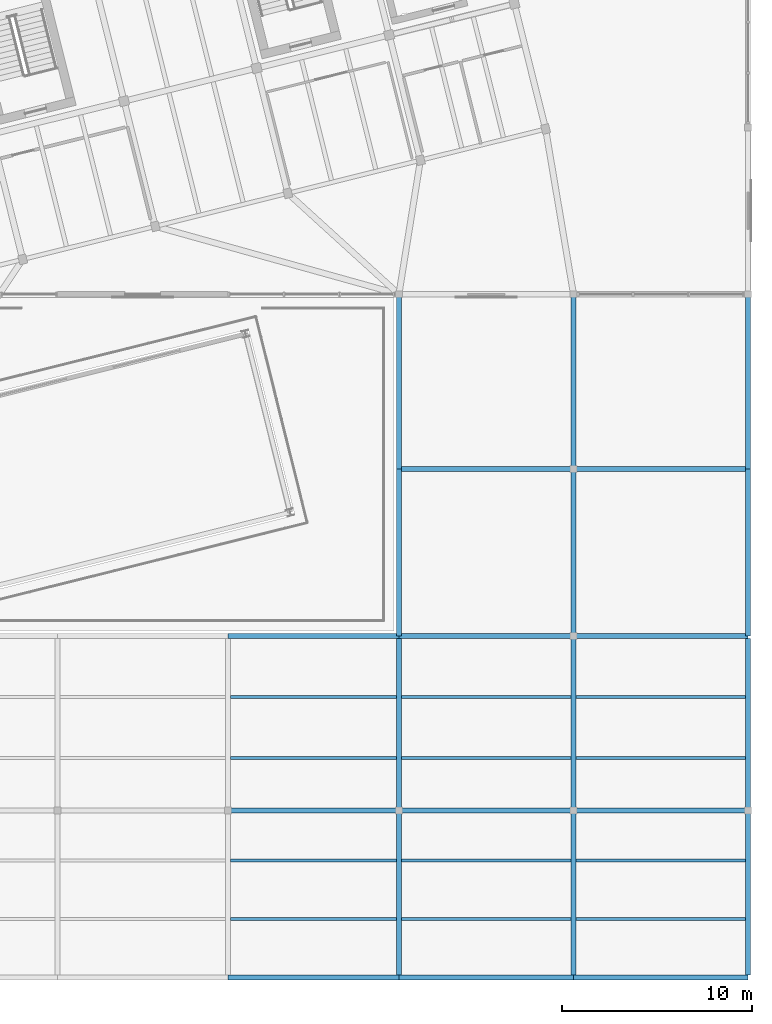
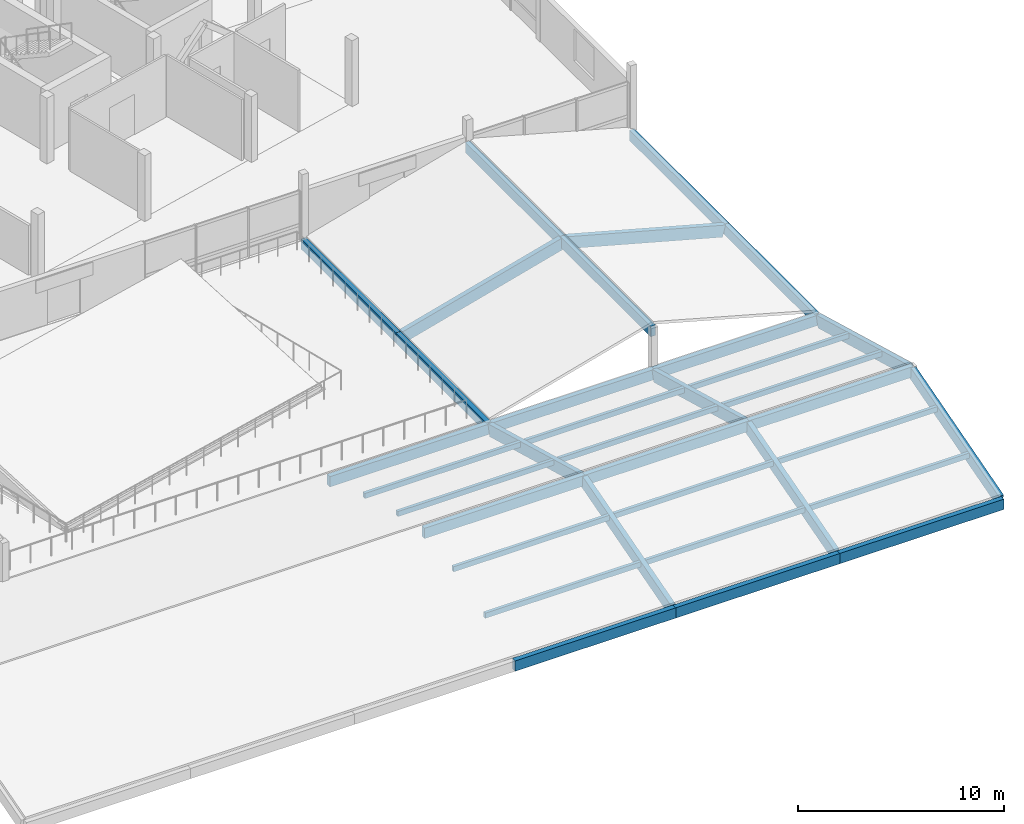
# One storey, part 6 of 39: 23 beams, 12 members.
"""IFC4 building model written with IfcOpenShell, lengths in metres."""

from ifc_helpers import new_model, si_unit, direction, frame, origin, origin_2d, place, context, subcontext, project, spatial, rectangle, extrude, material, material_profile, profile_set, type_object, element, save


model = new_model("IFC4")

# Units and contexts
model_context = context("Model", 3, precision=1e-05, world=origin(), true_north=direction((0.0, 1.0)))
body_context = subcontext(model_context, "Body", "Model", "MODEL_VIEW")
ifc_project = project(units=[si_unit("LENGTHUNIT", "METRE"), si_unit("AREAUNIT", "SQUARE_METRE"), si_unit("VOLUMEUNIT", "CUBIC_METRE"), si_unit("PLANEANGLEUNIT", "RADIAN"), si_unit("MASSUNIT", "GRAM", prefix="KILO")], contexts=[model_context])

# Site, building, storey
site_placement = place(None, origin())
site = spatial("IfcSite", under=ifc_project, at=site_placement, CompositionType="ELEMENT")
building_placement = place(site_placement, origin())
building = spatial("IfcBuilding", under=site, at=building_placement, Name="Meriwether Solvik Hall", CompositionType="ELEMENT")
storey_placement = place(building_placement, frame((0.0, 0.0, 22.199951171875)))
storey = spatial("IfcBuildingStorey", under=building, at=storey_placement, Name="L05", CompositionType="ELEMENT", Elevation=22.199951171875)

# Beams
ifc_material_1 = material(Name="Glulam Douglas-Fir 24F-V8 GL28h", Category="wood")
ifc_material_profile_1 = material_profile(ifc_material_1, rectangle(XDim=0.27294921875, YDim=0.610107421875, at=origin_2d()), Name="GLB-273X610")
ifc_profile_set_1 = profile_set([ifc_material_profile_1], Name="Glulam Douglas-Fir 24F-V8 GL28h")
beam_type_1 = type_object("IfcBeamType", Name="BM-GL-273X610", PredefinedType="SPANDREL", material=ifc_profile_set_1)
beam_1_placement = place(storey_placement, frame((86.800048828125, 5.199951171875, -0.324462890625), z_axis=(1.0, 0.0, 0.0), x_axis=(0.0, 1.0, 0.0)))
element("IfcBeam", 1, at=beam_1_placement, inside=storey, type_object=beam_type_1, Name="Roof Tie Beam A:10-11 (L05)", PredefinedType="SPANDREL", context=body_context, shape_type="SweptSolid", body=[
    extrude(rectangle(XDim=0.27294921875, YDim=0.610107421875, at=origin_2d()), origin(), (0.0, 0.0, 1.0), 9.0),
])
for number, where, z_axis, x_axis, name in (
    (2, (95.800048828125, 5.199951171875, -0.324462890625), (1.0, 0.0, 0.0), (0.0, 1.0, 0.0), "Roof Tie Beam A:11-12 (L05)"),
    (3, (105.0, 5.199951171875, -0.324462890625), (1.0, 0.0, 0.0), (0.0, 1.0, 0.0), "Roof Tie Beam A:12-13 (L05)"),
):
    element("IfcBeam", number, at=place(storey_placement, frame(where, z_axis=z_axis, x_axis=x_axis)), inside=storey, type_object=beam_type_1, Name=name, PredefinedType="SPANDREL", context=body_context, shape_type="SweptSolid", body=[
        extrude(rectangle(XDim=0.27294921875, YDim=0.610107421875, at=origin_2d()), origin(), (0.0, 0.0, 1.0), 9.199951171875),
    ])
beam_2_placement = place(storey_placement, frame((86.800048828125, 14.0, 2.195556640625), z_axis=(1.0, 0.0, 0.0), x_axis=(0.0, 1.0, 0.0)))
element("IfcBeam", 4, at=beam_2_placement, inside=storey, type_object=beam_type_1, Name="Roof Tie Beam B:10-11 (L05)", PredefinedType="SPANDREL", context=body_context, shape_type="SweptSolid", body=[
    extrude(rectangle(XDim=0.27294921875, YDim=0.610107421875, at=origin_2d()), origin(), (0.0, 0.0, 1.0), 9.0),
])
for number, where, z_axis, x_axis, name in (
    (5, (95.800048828125, 14.0, 2.195556640625), (1.0, 0.0, 0.0), (0.0, 1.0, 0.0), "Roof Tie Beam B:11-12 (L05)"),
    (6, (105.0, 14.0, 2.195556640625), (1.0, 0.0, 0.0), (0.0, 1.0, 0.0), "Roof Tie Beam B:12-13 (L05)"),
):
    element("IfcBeam", number, at=place(storey_placement, frame(where, z_axis=z_axis, x_axis=x_axis)), inside=storey, type_object=beam_type_1, Name=name, PredefinedType="SPANDREL", context=body_context, shape_type="SweptSolid", body=[
        extrude(rectangle(XDim=0.27294921875, YDim=0.610107421875, at=origin_2d()), origin(), (0.0, 0.0, 1.0), 9.199951171875),
    ])
beam_3_placement = place(storey_placement, frame((86.800048828125, 23.199951171875, -0.32373046875), z_axis=(1.0, 0.0, 0.0), x_axis=(0.0, 1.0, 0.0)))
element("IfcBeam", 7, at=beam_3_placement, inside=storey, type_object=beam_type_1, Name="Roof Tie Beam C:10-11 (L05)", PredefinedType="SPANDREL", context=body_context, shape_type="SweptSolid", body=[
    extrude(rectangle(XDim=0.27294921875, YDim=0.610107421875, at=origin_2d()), origin(), (0.0, 0.0, 1.0), 9.0),
])
for number, where, z_axis, x_axis, name in (
    (8, (95.800048828125, 23.199951171875, -0.32373046875), (1.0, 0.0, 0.0), (0.0, 1.0, 0.0), "Roof Tie Beam C:11-12 (L05)"),
    (9, (105.0, 23.199951171875, -0.32373046875), (1.0, 0.0, 0.0), (0.0, 1.0, 0.0), "Roof Tie Beam C:12-13 (L05)"),
):
    element("IfcBeam", number, at=place(storey_placement, frame(where, z_axis=z_axis, x_axis=x_axis)), inside=storey, type_object=beam_type_1, Name=name, PredefinedType="SPANDREL", context=body_context, shape_type="SweptSolid", body=[
        extrude(rectangle(XDim=0.27294921875, YDim=0.610107421875, at=origin_2d()), origin(), (0.0, 0.0, 1.0), 9.199951171875),
    ])
beam_4_placement = place(storey_placement, frame((95.800048828125, 23.199951171875, -0.32373046875), z_axis=(0.0, 1.0, 0.0), x_axis=(-1.0, 0.0, 0.0)))
element("IfcBeam", 10, at=beam_4_placement, inside=storey, type_object=beam_type_1, Name="Roof Tie Beam 11:C-D (L05)", PredefinedType="SPANDREL", context=body_context, shape_type="SweptSolid", body=[
    extrude(rectangle(XDim=0.27294921875, YDim=0.610107421875, at=origin_2d()), origin(), (0.0, 0.0, 1.0), 8.800048828125),
])
beam_5_placement = place(storey_placement, frame((95.800048828125, 32.0, -0.32373046875), z_axis=(0.0, 1.0, 0.0), x_axis=(-1.0, 0.0, 0.0)))
element("IfcBeam", 11, at=beam_5_placement, inside=storey, type_object=beam_type_1, Name="Roof Tie Beam 11:D-E (L05)", PredefinedType="SPANDREL", context=body_context, shape_type="SweptSolid", body=[
    extrude(rectangle(XDim=0.27294921875, YDim=0.610107421875, at=origin_2d()), origin(), (0.0, 0.0, 1.0), 9.199951171875),
])
beam_6_placement = place(storey_placement, frame((105.0, 23.199951171875, 2.17626953125), z_axis=(0.0, 1.0, 0.0), x_axis=(-1.0, 0.0, 0.0)))
element("IfcBeam", 12, at=beam_6_placement, inside=storey, type_object=beam_type_1, Name="Roof Tie Beam 12:C-D (L05)", PredefinedType="SPANDREL", context=body_context, shape_type="SweptSolid", body=[
    extrude(rectangle(XDim=0.27294921875, YDim=0.610107421875, at=origin_2d()), origin(), (0.0, 0.0, 1.0), 8.800048828125),
])
beam_7_placement = place(storey_placement, frame((105.0, 32.0, 2.17626953125), z_axis=(0.0, 1.0, 0.0), x_axis=(-1.0, 0.0, 0.0)))
element("IfcBeam", 13, at=beam_7_placement, inside=storey, type_object=beam_type_1, Name="Roof Tie Beam 12:D-E (L05)", PredefinedType="SPANDREL", context=body_context, shape_type="SweptSolid", body=[
    extrude(rectangle(XDim=0.27294921875, YDim=0.610107421875, at=origin_2d()), origin(), (0.0, 0.0, 1.0), 9.199951171875),
])
beam_8_placement = place(storey_placement, frame((114.199951171875, 23.199951171875, -0.32373046875), z_axis=(0.0, 1.0, 0.0), x_axis=(-1.0, 0.0, 0.0)))
element("IfcBeam", 14, at=beam_8_placement, inside=storey, type_object=beam_type_1, Name="Roof Tie Beam 13:C-D (L05)", PredefinedType="SPANDREL", context=body_context, shape_type="SweptSolid", body=[
    extrude(rectangle(XDim=0.27294921875, YDim=0.610107421875, at=origin_2d()), origin(), (0.0, 0.0, 1.0), 8.800048828125),
])
beam_9_placement = place(storey_placement, frame((114.199951171875, 32.0, -0.32373046875), z_axis=(0.0, 1.0, 0.0), x_axis=(-1.0, 0.0, 0.0)))
element("IfcBeam", 15, at=beam_9_placement, inside=storey, type_object=beam_type_1, Name="Roof Tie Beam 13:D-E (L05)", PredefinedType="SPANDREL", context=body_context, shape_type="SweptSolid", body=[
    extrude(rectangle(XDim=0.27294921875, YDim=0.610107421875, at=origin_2d()), origin(), (0.0, 0.0, 1.0), 9.199951171875),
])
ifc_material_2 = material(Name="Glulam Douglas-Fir 24F-V8 GL28h", Category="wood")
ifc_material_profile_2 = material_profile(ifc_material_2, rectangle(XDim=0.27294921875, YDim=0.68505859375, at=origin_2d()), Name="GLB-273X685")
ifc_profile_set_2 = profile_set([ifc_material_profile_2], Name="Glulam Douglas-Fir 24F-V8 GL28h")
beam_type_2 = type_object("IfcBeamType", Name="BM-GL-273X685", PredefinedType="BEAM", material=ifc_profile_set_2)
for number, where, z_axis, x_axis, name in (
    (16, (95.800048828125, 5.42236328125, -0.31201171875), (0.0, 0.961355835439, 0.275308840518), (-1.0, 0.0, 0.0), "Raking Glulam Roof Rafter w4a_canopy_s-11 (L05)"),
    (17, (105.0, 5.42236328125, -0.31201171875), (0.0, 0.961355835439, 0.275308840518), (-1.0, 0.0, 0.0), "Raking Glulam Roof Rafter w4a_canopy_s-12 (L05)"),
    (18, (114.199951171875, 5.42236328125, -0.31201171875), (0.0, 0.961355835439, 0.275308840518), (-1.0, 0.0, 0.0), "Raking Glulam Roof Rafter w4a_canopy_s-13 (L05)"),
):
    element("IfcBeam", number, at=place(storey_placement, frame(where, z_axis=z_axis, x_axis=x_axis)), inside=storey, type_object=beam_type_2, Name=name, PredefinedType="BEAM", context=body_context, shape_type="SweptSolid", body=[
        extrude(rectangle(XDim=0.27294921875, YDim=0.68505859375, at=origin_2d()), origin(), (0.0, 0.0, 1.0), 8.887451171875),
    ])
for number, where, z_axis, x_axis, name in (
    (19, (95.800048828125, 22.9814453125, -0.314208984375), (0.0, -0.964469774482, 0.264193213597), (1.0, 0.0, 0.0), "Raking Glulam Roof Rafter w4a_canopy_n-11 (L05)"),
    (20, (105.0, 22.9814453125, -0.314208984375), (0.0, -0.964469774482, 0.264193213597), (1.0, 0.0, 0.0), "Raking Glulam Roof Rafter w4a_canopy_n-12 (L05)"),
    (21, (114.199951171875, 22.9814453125, -0.314208984375), (0.0, -0.964469774482, 0.264193213597), (1.0, 0.0, 0.0), "Raking Glulam Roof Rafter w4a_canopy_n-13 (L05)"),
):
    element("IfcBeam", number, at=place(storey_placement, frame(where, z_axis=z_axis, x_axis=x_axis)), inside=storey, type_object=beam_type_2, Name=name, PredefinedType="BEAM", context=body_context, shape_type="SweptSolid", body=[
        extrude(rectangle(XDim=0.27294921875, YDim=0.68505859375, at=origin_2d()), origin(), (0.0, 0.0, 1.0), 9.2734375),
    ])
for number, where, z_axis, x_axis, name in (
    (22, (96.017822265625, 32.0, -0.314453125), (0.965006558002, 0.0, 0.262225748189), (0.0, 1.0, 0.0), "Raking Glulam Roof Rafter w4a_east_sh_w-D (L05)"),
    (23, (113.982177734375, 32.0, -0.314453125), (-0.965006558002, 0.0, 0.262225748189), (0.0, -1.0, 0.0), "Raking Glulam Roof Rafter w4a_east_sh_e-D (L05)"),
):
    element("IfcBeam", number, at=place(storey_placement, frame(where, z_axis=z_axis, x_axis=x_axis)), inside=storey, type_object=beam_type_2, Name=name, PredefinedType="BEAM", context=body_context, shape_type="SweptSolid", body=[
        extrude(rectangle(XDim=0.27294921875, YDim=0.68505859375, at=origin_2d()), origin(), (0.0, 0.0, 1.0), 9.268310546875),
    ])

# Members
ifc_material_3 = material(Name="Glulam Douglas-Fir 24F-V8 GL28h", Category="wood")
ifc_material_profile_3 = material_profile(ifc_material_3, rectangle(XDim=0.175048828125, YDim=0.304931640625, at=origin_2d()), Name="GLM-175X305")
ifc_profile_set_3 = profile_set([ifc_material_profile_3], Name="Glulam Douglas-Fir 24F-V8 GL28h")
member_type = type_object("IfcMemberType", Name="MEM-PRL-GL175", PredefinedType="PURLIN", material=ifc_profile_set_3)
for number, where, z_axis, x_axis, name in (
    (24, (86.9326171875, 8.280029296875, 0.710205078125), (1.0, 0.0, 0.0), (0.0, 1.0, 0.0), "Sloped Roof Glulam Purlin w4a_canopy_s-4.1"),
    (25, (86.9326171875, 11.360107421875, 1.592041015625), (1.0, 0.0, 0.0), (0.0, 1.0, 0.0), "Sloped Roof Glulam Purlin w4a_canopy_s-4.2"),
):
    element("IfcMember", number, at=place(storey_placement, frame(where, z_axis=z_axis, x_axis=x_axis)), inside=storey, type_object=member_type, Name=name, PredefinedType="PURLIN", context=body_context, shape_type="SweptSolid", body=[
        extrude(rectangle(XDim=0.175048828125, YDim=0.304931640625, at=origin_2d()), origin(), (0.0, 0.0, 1.0), 8.73486328125),
    ])
for number, where, z_axis, x_axis, name in (
    (26, (95.9326171875, 8.280029296875, 0.710205078125), (1.0, 0.0, 0.0), (0.0, 1.0, 0.0), "Sloped Roof Glulam Purlin w4a_canopy_s-5.1"),
    (27, (95.9326171875, 11.360107421875, 1.592041015625), (1.0, 0.0, 0.0), (0.0, 1.0, 0.0), "Sloped Roof Glulam Purlin w4a_canopy_s-5.2"),
    (28, (105.132568359375, 8.280029296875, 0.710205078125), (1.0, 0.0, 0.0), (0.0, 1.0, 0.0), "Sloped Roof Glulam Purlin w4a_canopy_s-6.1"),
    (29, (105.132568359375, 11.360107421875, 1.592041015625), (1.0, 0.0, 0.0), (0.0, 1.0, 0.0), "Sloped Roof Glulam Purlin w4a_canopy_s-6.2"),
):
    element("IfcMember", number, at=place(storey_placement, frame(where, z_axis=z_axis, x_axis=x_axis)), inside=storey, type_object=member_type, Name=name, PredefinedType="PURLIN", context=body_context, shape_type="SweptSolid", body=[
        extrude(rectangle(XDim=0.175048828125, YDim=0.304931640625, at=origin_2d()), origin(), (0.0, 0.0, 1.0), 8.934814453125),
    ])
for number, where, z_axis, x_axis, name in (
    (30, (86.9326171875, 19.97998046875, 0.710693359375), (1.0, 0.0, 0.0), (0.0, 1.0, 0.0), "Sloped Roof Glulam Purlin w4a_canopy_n-4.1"),
    (31, (86.9326171875, 16.760009765625, 1.5927734375), (1.0, 0.0, 0.0), (0.0, 1.0, 0.0), "Sloped Roof Glulam Purlin w4a_canopy_n-4.2"),
):
    element("IfcMember", number, at=place(storey_placement, frame(where, z_axis=z_axis, x_axis=x_axis)), inside=storey, type_object=member_type, Name=name, PredefinedType="PURLIN", context=body_context, shape_type="SweptSolid", body=[
        extrude(rectangle(XDim=0.175048828125, YDim=0.304931640625, at=origin_2d()), origin(), (0.0, 0.0, 1.0), 8.73486328125),
    ])
for number, where, z_axis, x_axis, name in (
    (32, (95.9326171875, 19.97998046875, 0.710693359375), (1.0, 0.0, 0.0), (0.0, 1.0, 0.0), "Sloped Roof Glulam Purlin w4a_canopy_n-5.1"),
    (33, (95.9326171875, 16.760009765625, 1.5927734375), (1.0, 0.0, 0.0), (0.0, 1.0, 0.0), "Sloped Roof Glulam Purlin w4a_canopy_n-5.2"),
    (34, (105.132568359375, 19.97998046875, 0.710693359375), (1.0, 0.0, 0.0), (0.0, 1.0, 0.0), "Sloped Roof Glulam Purlin w4a_canopy_n-6.1"),
    (35, (105.132568359375, 16.760009765625, 1.5927734375), (1.0, 0.0, 0.0), (0.0, 1.0, 0.0), "Sloped Roof Glulam Purlin w4a_canopy_n-6.2"),
):
    element("IfcMember", number, at=place(storey_placement, frame(where, z_axis=z_axis, x_axis=x_axis)), inside=storey, type_object=member_type, Name=name, PredefinedType="PURLIN", context=body_context, shape_type="SweptSolid", body=[
        extrude(rectangle(XDim=0.175048828125, YDim=0.304931640625, at=origin_2d()), origin(), (0.0, 0.0, 1.0), 8.934814453125),
    ])

save(model, "model.ifc")
